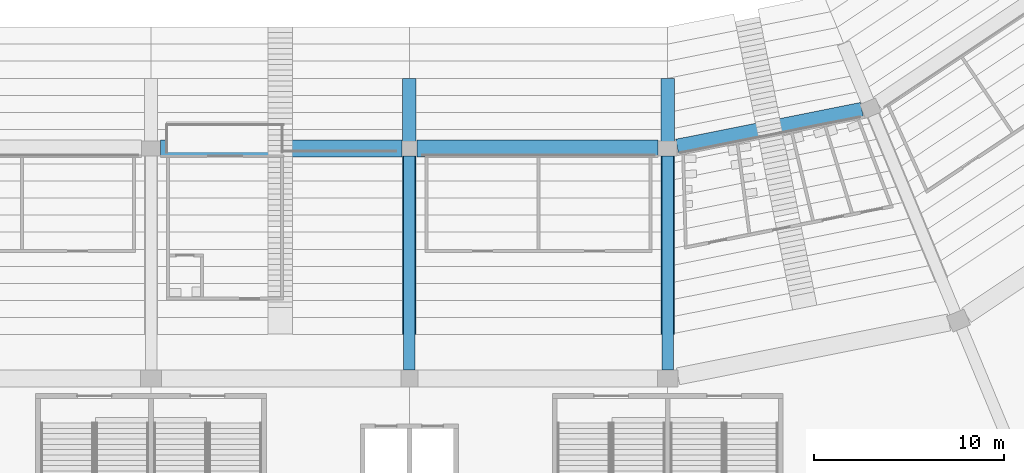
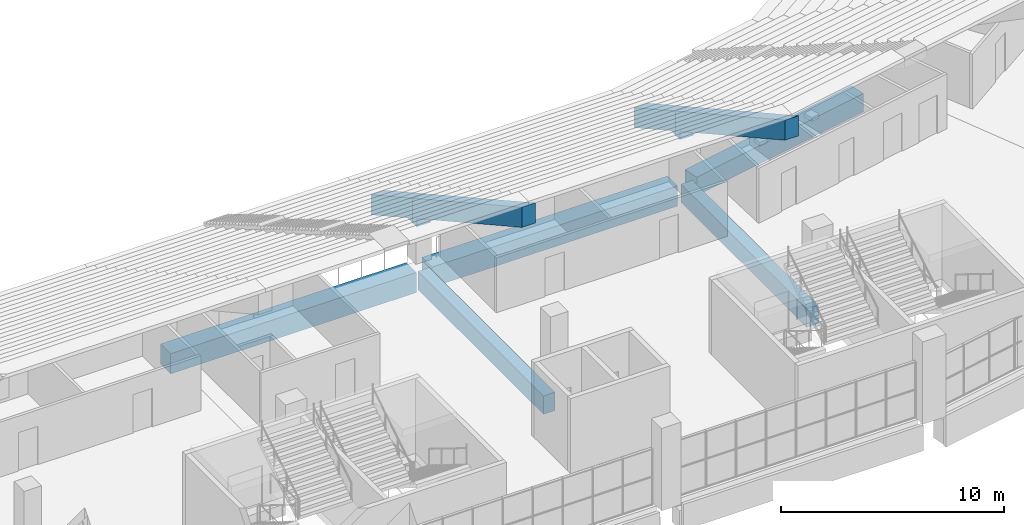
# One storey, part 17 of 249: 9 beams.
"""IFC4 building model written with IfcOpenShell, lengths in metres."""

from ifc_helpers import new_model, si_unit, direction, frame, origin, origin_2d, place, context, subcontext, project, spatial, polyline, rectangle, outline, extrude, material, material_profile, profile_set, type_object, element, save


model = new_model("IFC4")

# Units and contexts
model_context = context("Model", 3, precision=1e-05, world=origin(), true_north=direction((0.0, 1.0)))
body_context = subcontext(model_context, "Body", "Model", "MODEL_VIEW")
ifc_project = project(units=[si_unit("LENGTHUNIT", "METRE"), si_unit("AREAUNIT", "SQUARE_METRE"), si_unit("VOLUMEUNIT", "CUBIC_METRE"), si_unit("PLANEANGLEUNIT", "RADIAN"), si_unit("MASSUNIT", "GRAM", prefix="KILO")], contexts=[model_context])

# Site, building, storey
site_placement = place(None, origin())
site = spatial("IfcSite", under=ifc_project, at=site_placement, CompositionType="ELEMENT")
building_placement = place(site_placement, origin())
building = spatial("IfcBuilding", under=site, at=building_placement, Name="Ogive Plaza Stadium", CompositionType="ELEMENT")
storey_placement = place(building_placement, frame((0.0, 0.0, 13.5)))
storey = spatial("IfcBuildingStorey", under=building, at=storey_placement, Name="L03", CompositionType="ELEMENT", Elevation=13.5)

# Beams
ifc_material_1 = material(Name="Concrete C45/55 precast", Category="concrete")
ifc_material_profile_1 = material_profile(ifc_material_1, rectangle(XDim=0.699951171875, YDim=1.10009765625, at=origin_2d()), Name="RC 700x1100")
ifc_profile_set_1 = profile_set([ifc_material_profile_1], Name="Concrete C45/55 precast")
beam_type_1 = type_object("IfcBeamType", Name="Precast raker UT back-span 700x1100", PredefinedType="USERDEFINED", material=ifc_profile_set_1)
for number, where, z_axis, x_axis, name in (
    (1, (34.0, -52.5, -13.5), (0.0, 0.0, 1.0), (0.0, -1.0, 0.0), "RAKER UT BACK-SPAN R12"),
    (2, (20.39990234375, -52.5, -13.5), (0.0, 0.0, 1.0), (0.0, -1.0, 0.0), "RAKER UT BACK-SPAN R13"),
):
    element("IfcBeam", number, at=place(storey_placement, frame(where, z_axis=z_axis, x_axis=x_axis)), inside=storey, type_object=beam_type_1, Name=name, ObjectType="RAKER", PredefinedType="USERDEFINED", context=body_context, shape_type="SweptSolid", body=[
        extrude(outline(polyline([(27.89990234375, 15.533203125), (28.300048828125, 15.533203125), (28.300048828125, 15.977783203125), (37.699951171875, 21.199951171875), (37.699951171875, 22.300048828125), (27.89990234375, 16.855712890625), (27.89990234375, 15.533203125)])), frame((0.0, 0.35009765625, 0.0), z_axis=(0.0, -1.0, 0.0), x_axis=(1.0, 0.0, 0.0)), (0.0, 0.0, 1.0), 0.699951171875),
    ])
ifc_material_2 = material(Name="Concrete C45/55 precast", Category="concrete")
ifc_material_profile_2 = material_profile(ifc_material_2, rectangle(XDim=0.699951171875, YDim=1.10009765625, at=origin_2d()), Name="RC 700x1100")
ifc_profile_set_2 = profile_set([ifc_material_profile_2], Name="Concrete C45/55 precast")
beam_type_2 = type_object("IfcBeamType", Name="Precast raker UT cantilever 700x1100", PredefinedType="USERDEFINED", material=ifc_profile_set_2)
for number, where, z_axis, x_axis, name in (
    (3, (34.0, -52.5, -13.5), (0.0, 0.0, 1.0), (0.0, -1.0, 0.0), "RAKER UT CANTILEVER R12"),
    (4, (20.39990234375, -52.5, -13.5), (0.0, 0.0, 1.0), (0.0, -1.0, 0.0), "RAKER UT CANTILEVER R13"),
):
    element("IfcBeam", number, at=place(storey_placement, frame(where, z_axis=z_axis, x_axis=x_axis)), inside=storey, type_object=beam_type_2, Name=name, ObjectType="RAKER", PredefinedType="USERDEFINED", context=body_context, shape_type="SweptSolid", body=[
        extrude(outline(polyline([(24.199951171875, 13.699951171875), (27.5, 15.533203125), (27.89990234375, 15.533203125), (27.89990234375, 16.855712890625), (24.199951171875, 14.800048828125), (24.199951171875, 13.699951171875)])), frame((0.0, 0.35009765625, 0.0), z_axis=(0.0, -1.0, 0.0), x_axis=(1.0, 0.0, 0.0)), (0.0, 0.0, 1.0), 0.699951171875),
    ])
ifc_material_3 = material(Name="Concrete C40/50", Category="concrete")
ifc_material_profile_3 = material_profile(ifc_material_3, rectangle(XDim=0.60009765625, YDim=1.0, at=origin_2d()), Name="RC 600x1000")
ifc_profile_set_3 = profile_set([ifc_material_profile_3], Name="Concrete C40/50")
beam_type_3 = type_object("IfcBeamType", Name="RC radial beam 600x1000", PredefinedType="BEAM", material=ifc_profile_set_3)
for number, where, z_axis, x_axis, name in (
    (5, (34.0, -80.800048828125, -0.909912109375), (0.0, -1.0, 0.0), (1.0, 0.0, 0.0), "Radial beam L03 R12 F3F4"),
    (6, (20.39990234375, -80.800048828125, -0.909912109375), (0.0, -1.0, 0.0), (1.0, 0.0, 0.0), "Radial beam L03 R13 F3F4"),
):
    element("IfcBeam", number, at=place(storey_placement, frame(where, z_axis=z_axis, x_axis=x_axis)), inside=storey, type_object=beam_type_3, Name=name, PredefinedType="BEAM", context=body_context, shape_type="SweptSolid", body=[
        extrude(rectangle(XDim=0.60009765625, YDim=1.0, at=origin_2d()), origin(), (0.0, 0.0, 1.0), 11.25),
    ])
ifc_material_4 = material(Name="Concrete C40/50", Category="concrete")
ifc_material_profile_4 = material_profile(ifc_material_4, rectangle(XDim=0.800048828125, YDim=1.0, at=origin_2d()), Name="RC 800x1000")
ifc_profile_set_4 = profile_set([ifc_material_profile_4], Name="Concrete C40/50")
beam_type_4 = type_object("IfcBeamType", Name="RC ring beam 800x1000", PredefinedType="BEAM", material=ifc_profile_set_4)
beam_placement = place(storey_placement, frame((44.226806640625, -78.36572265625, -0.909912109375), z_axis=(-0.980784656884, -0.195093456635, 0.0), x_axis=(0.195093456635, -0.980784656884, 0.0)))
element("IfcBeam", 7, at=beam_placement, inside=storey, type_object=beam_type_4, Name="Ring beam F3 L03 B11", PredefinedType="BEAM", context=body_context, shape_type="SweptSolid", body=[
    extrude(rectangle(XDim=0.800048828125, YDim=1.0, at=origin_2d()), origin(), (0.0, 0.0, 1.0), 9.91748046875),
])
ifc_material_5 = material(Name="Concrete C40/50", Category="concrete")
ifc_material_profile_5 = material_profile(ifc_material_5, rectangle(XDim=0.89990234375, YDim=1.10009765625, at=origin_2d()), Name="RC 900x1100")
ifc_profile_set_5 = profile_set([ifc_material_profile_5], Name="Concrete C40/50")
beam_type_5 = type_object("IfcBeamType", Name="RC ring beam 900x1100", PredefinedType="BEAM", material=ifc_profile_set_5)
for number, where, z_axis, x_axis, name in (
    (8, (33.5, -80.39990234375, -0.9599609375), (-1.0, 0.0, 0.0), (0.0, -1.0, 0.0), "Ring beam F3 L03 B12"),
    (9, (20.0, -80.39990234375, -0.9599609375), (-1.0, 0.0, 0.0), (0.0, -1.0, 0.0), "Ring beam F3 L03 B13"),
):
    element("IfcBeam", number, at=place(storey_placement, frame(where, z_axis=z_axis, x_axis=x_axis)), inside=storey, type_object=beam_type_5, Name=name, PredefinedType="BEAM", context=body_context, shape_type="SweptSolid", body=[
        extrude(rectangle(XDim=0.89990234375, YDim=1.10009765625, at=origin_2d()), origin(), (0.0, 0.0, 1.0), 12.699951171875),
    ])

save(model, "model.ifc")
